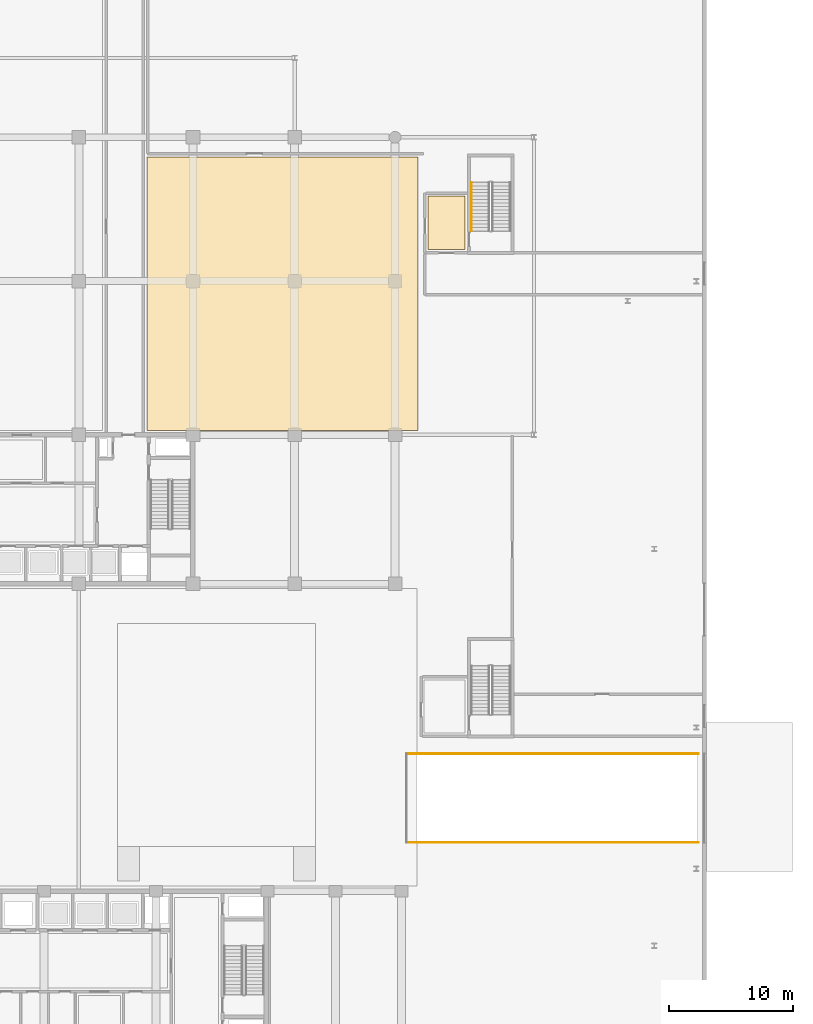
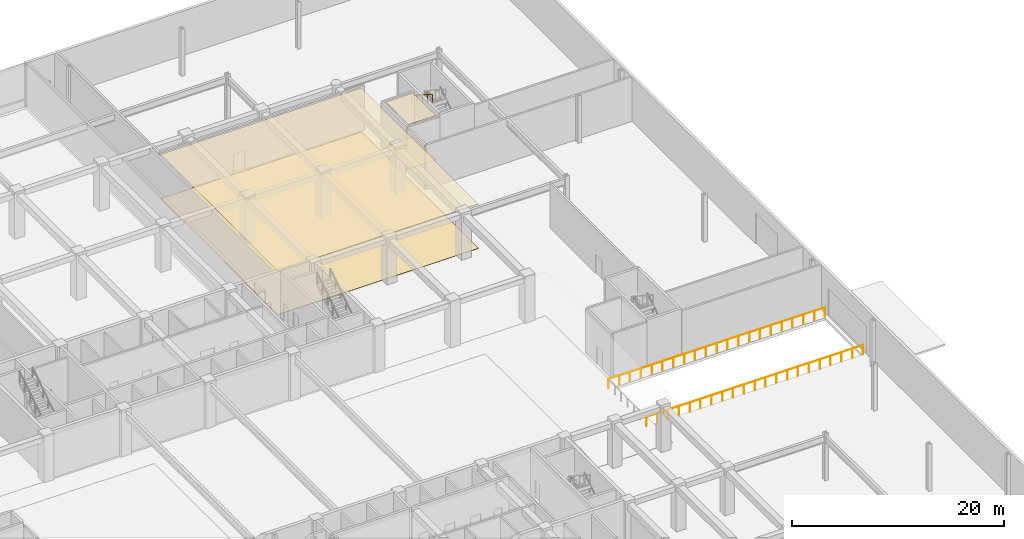
# One storey, part 44 of 46: 4 coverings, 3 railings.
"""IFC4 building model written with IfcOpenShell, lengths in metres."""

from ifc_helpers import new_model, si_unit, direction, frame, origin, origin_2d, place, context, subcontext, project, spatial, polyline, circle, outline, extrude, material, layer, layer_set, type_object, element, save


model = new_model("IFC4")

# Units and contexts
model_context = context("Model", 3, precision=1e-05, world=origin(), true_north=direction((0.0, 1.0)))
body_context = subcontext(model_context, "Body", "Model", "MODEL_VIEW")
ifc_project = project(units=[si_unit("LENGTHUNIT", "METRE"), si_unit("AREAUNIT", "SQUARE_METRE"), si_unit("VOLUMEUNIT", "CUBIC_METRE"), si_unit("PLANEANGLEUNIT", "RADIAN"), si_unit("MASSUNIT", "GRAM", prefix="KILO")], contexts=[model_context])

# Site, building, storey
site_placement = place(None, origin())
site = spatial("IfcSite", under=ifc_project, at=site_placement, CompositionType="ELEMENT")
building_placement = place(site_placement, origin())
building = spatial("IfcBuilding", under=site, at=building_placement, Name="Korimba Cascade Residences", CompositionType="ELEMENT")
storey_placement = place(building_placement, origin())
storey = spatial("IfcBuildingStorey", under=building, at=storey_placement, Name="L00", CompositionType="ELEMENT", Elevation=0.0)

# Coverings
ifc_material_1 = material(Name="Perforated Acoustic Gypsum Ceiling", Category="gypsum")
ifc_layer_1 = layer(ifc_material_1, 0.02490234375)
ifc_layer_set_1 = layer_set([ifc_layer_1], Name="Perforated Acoustic Gypsum Ceiling")
covering_type_1 = type_object("IfcCoveringType", Name="COV-CLG-AC", PredefinedType="CEILING", material=ifc_layer_set_1)
covering_1_placement = place(storey_placement, frame((0.0, 0.0, 5.074951171875)))
element("IfcCovering", 1, at=covering_1_placement, inside=storey, type_object=covering_type_1, Name="L00 Suspended Acoustic Ceiling L00-PL4", PredefinedType="CEILING", context=body_context, shape_type="SweptSolid", body=[
    extrude(outline(polyline([(131.050048828125, 82.14990234375), (134.050048828125, 82.14990234375), (134.050048828125, 86.449951171875), (131.050048828125, 86.449951171875), (131.050048828125, 82.14990234375)])), origin(), (0.0, 0.0, 1.0), 0.025146484375),
])
covering_2_placement = place(storey_placement, frame((0.0, 0.0, 5.074951171875)))
element("IfcCovering", 2, at=covering_2_placement, inside=storey, type_object=covering_type_1, Name="L00 Suspended Acoustic Ceiling L00-LB3", PredefinedType="CEILING", context=body_context, shape_type="SweptSolid", body=[
    extrude(outline(polyline([(108.39990234375, 67.550048828125), (130.25, 67.550048828125), (130.25, 89.60009765625), (108.39990234375, 89.60009765625), (108.39990234375, 67.550048828125)])), origin(), (0.0, 0.0, 1.0), 0.025146484375),
])
ifc_material_2 = material(Name="Honed Travertine Stone Flooring", Category="masonry")
ifc_layer_2 = layer(ifc_material_2, 0.02490234375)
ifc_layer_set_2 = layer_set([ifc_layer_2], Name="Honed Travertine Stone Flooring")
covering_type_2 = type_object("IfcCoveringType", Name="COV-FLR-STN", PredefinedType="FLOORING", material=ifc_layer_set_2)
covering_3_placement = place(storey_placement, origin())
element("IfcCovering", 3, at=covering_3_placement, inside=storey, type_object=covering_type_2, Name="L00 Honed Travertine Stone Flooring L00-PL4", PredefinedType="FLOORING", context=body_context, shape_type="SweptSolid", body=[
    extrude(outline(polyline([(131.050048828125, 82.14990234375), (134.050048828125, 82.14990234375), (134.050048828125, 86.449951171875), (131.050048828125, 86.449951171875), (131.050048828125, 82.14990234375)])), origin(), (0.0, 0.0, 1.0), 0.02490234375),
])
covering_4_placement = place(storey_placement, origin())
element("IfcCovering", 4, at=covering_4_placement, inside=storey, type_object=covering_type_2, Name="L00 Honed Travertine Stone Flooring L00-LB3", PredefinedType="FLOORING", context=body_context, shape_type="SweptSolid", body=[
    extrude(outline(polyline([(108.39990234375, 67.550048828125), (130.25, 67.550048828125), (130.25, 89.60009765625), (108.39990234375, 89.60009765625), (108.39990234375, 67.550048828125)])), origin(), (0.0, 0.0, 1.0), 0.02490234375),
])

# Railings
ifc_material_3 = material(Name="Brushed Stainless Steel Handrail", Category="steel")
railing_type_1 = type_object("IfcRailingType", Name="RLG-ST-HR900", PredefinedType="HANDRAIL", material=ifc_material_3)
railing_1_placement = place(storey_placement, frame((134.550048828125, 87.570068359375, 3.063720703125)))
element("IfcRailing", 5, at=railing_1_placement, inside=storey, type_object=railing_type_1, Name="L00 ST-P4 stair handrail 2", PredefinedType="HANDRAIL", context=body_context, shape_type="SweptSolid", body=[
    extrude(circle(Radius=0.02392578125, at=origin_2d()), frame((0.0, 0.0, 0.8759765625), z_axis=(0.0, -0.841186985886, 0.540744352514), x_axis=(1.0, 0.0, 0.0)), (0.0, 0.0, 1.0), 4.660400390625),
    extrude(circle(Radius=0.02099609375, at=origin_2d()), origin(), (0.0, 0.0, 1.0), 0.851806640625),
    extrude(circle(Radius=0.02099609375, at=origin_2d()), frame((0.0, -0.97998046875, 0.6298828125)), (0.0, 0.0, 1.0), 0.851806640625),
    extrude(circle(Radius=0.02099609375, at=origin_2d()), frame((0.0, -1.9599609375, 1.260009765625)), (0.0, 0.0, 1.0), 0.851806640625),
    extrude(circle(Radius=0.02099609375, at=origin_2d()), frame((0.0, -2.940185546875, 1.89013671875)), (0.0, 0.0, 1.0), 0.851806640625),
    extrude(circle(Radius=0.02099609375, at=origin_2d()), frame((0.0, -3.920166015625, 2.52001953125)), (0.0, 0.0, 1.0), 0.851806640625),
])
ifc_material_4 = material(Name="Painted Galvanised Steel Terrace Guardrail", Category="steel")
railing_type_2 = type_object("IfcRailingType", Name="RLG-TER-1150", PredefinedType="GUARDRAIL", material=ifc_material_4)
railing_2_placement = place(storey_placement, frame((129.320068359375, 34.320068359375, 0.0)))
element("IfcRailing", 6, at=railing_2_placement, inside=storey, type_object=railing_type_2, Name="L00 Ramp Well S Guardrail", PredefinedType="GUARDRAIL", context=body_context, shape_type="SweptSolid", body=[
    extrude(circle(Radius=0.02392578125, at=origin_2d()), frame((0.0, 0.0, 1.1259765625), z_axis=(1.0, 0.0, 0.0), x_axis=(0.0, 1.0, 0.0)), (0.0, 0.0, 1.0), 23.559814453125),
    extrude(circle(Radius=0.02099609375, at=origin_2d()), origin(), (0.0, 0.0, 1.0), 1.101806640625),
    extrude(circle(Radius=0.02099609375, at=origin_2d()), frame((1.177978515625, 0.0, 0.0)), (0.0, 0.0, 1.0), 1.101806640625),
    extrude(circle(Radius=0.02099609375, at=origin_2d()), frame((2.35595703125, 0.0, 0.0)), (0.0, 0.0, 1.0), 1.101806640625),
    extrude(circle(Radius=0.02099609375, at=origin_2d()), frame((3.533935546875, 0.0, 0.0)), (0.0, 0.0, 1.0), 1.101806640625),
    extrude(circle(Radius=0.02099609375, at=origin_2d()), frame((4.7119140625, 0.0, 0.0)), (0.0, 0.0, 1.0), 1.101806640625),
    extrude(circle(Radius=0.02099609375, at=origin_2d()), frame((5.889892578125, 0.0, 0.0)), (0.0, 0.0, 1.0), 1.101806640625),
    extrude(circle(Radius=0.02099609375, at=origin_2d()), frame((7.06787109375, 0.0, 0.0)), (0.0, 0.0, 1.0), 1.101806640625),
    extrude(circle(Radius=0.02099609375, at=origin_2d()), frame((8.245849609375, 0.0, 0.0)), (0.0, 0.0, 1.0), 1.101806640625),
    extrude(circle(Radius=0.02099609375, at=origin_2d()), frame((9.423828125, 0.0, 0.0)), (0.0, 0.0, 1.0), 1.101806640625),
    extrude(circle(Radius=0.02099609375, at=origin_2d()), frame((10.601806640625, 0.0, 0.0)), (0.0, 0.0, 1.0), 1.101806640625),
    extrude(circle(Radius=0.02099609375, at=origin_2d()), frame((11.77978515625, 0.0, 0.0)), (0.0, 0.0, 1.0), 1.101806640625),
    extrude(circle(Radius=0.02099609375, at=origin_2d()), frame((12.9580078125, 0.0, 0.0)), (0.0, 0.0, 1.0), 1.101806640625),
    extrude(circle(Radius=0.02099609375, at=origin_2d()), frame((14.135986328125, 0.0, 0.0)), (0.0, 0.0, 1.0), 1.101806640625),
    extrude(circle(Radius=0.02099609375, at=origin_2d()), frame((15.31396484375, 0.0, 0.0)), (0.0, 0.0, 1.0), 1.101806640625),
    extrude(circle(Radius=0.02099609375, at=origin_2d()), frame((16.491943359375, 0.0, 0.0)), (0.0, 0.0, 1.0), 1.101806640625),
    extrude(circle(Radius=0.02099609375, at=origin_2d()), frame((17.669921875, 0.0, 0.0)), (0.0, 0.0, 1.0), 1.101806640625),
    extrude(circle(Radius=0.02099609375, at=origin_2d()), frame((18.847900390625, 0.0, 0.0)), (0.0, 0.0, 1.0), 1.101806640625),
    extrude(circle(Radius=0.02099609375, at=origin_2d()), frame((20.02587890625, 0.0, 0.0)), (0.0, 0.0, 1.0), 1.101806640625),
    extrude(circle(Radius=0.02099609375, at=origin_2d()), frame((21.203857421875, 0.0, 0.0)), (0.0, 0.0, 1.0), 1.101806640625),
    extrude(circle(Radius=0.02099609375, at=origin_2d()), frame((22.3818359375, 0.0, 0.0)), (0.0, 0.0, 1.0), 1.101806640625),
    extrude(circle(Radius=0.02099609375, at=origin_2d()), frame((23.559814453125, 0.0, 0.0)), (0.0, 0.0, 1.0), 1.101806640625),
])
railing_3_placement = place(storey_placement, frame((129.320068359375, 41.47998046875, 0.0)))
element("IfcRailing", 7, at=railing_3_placement, inside=storey, type_object=railing_type_2, Name="L00 Ramp Well N Guardrail", PredefinedType="GUARDRAIL", context=body_context, shape_type="SweptSolid", body=[
    extrude(circle(Radius=0.02392578125, at=origin_2d()), frame((0.0, 0.0, 1.1259765625), z_axis=(1.0, 0.0, 0.0), x_axis=(0.0, 1.0, 0.0)), (0.0, 0.0, 1.0), 23.559814453125),
    extrude(circle(Radius=0.02099609375, at=origin_2d()), origin(), (0.0, 0.0, 1.0), 1.101806640625),
    extrude(circle(Radius=0.02099609375, at=origin_2d()), frame((1.177978515625, 0.0, 0.0)), (0.0, 0.0, 1.0), 1.101806640625),
    extrude(circle(Radius=0.02099609375, at=origin_2d()), frame((2.35595703125, 0.0, 0.0)), (0.0, 0.0, 1.0), 1.101806640625),
    extrude(circle(Radius=0.02099609375, at=origin_2d()), frame((3.533935546875, 0.0, 0.0)), (0.0, 0.0, 1.0), 1.101806640625),
    extrude(circle(Radius=0.02099609375, at=origin_2d()), frame((4.7119140625, 0.0, 0.0)), (0.0, 0.0, 1.0), 1.101806640625),
    extrude(circle(Radius=0.02099609375, at=origin_2d()), frame((5.889892578125, 0.0, 0.0)), (0.0, 0.0, 1.0), 1.101806640625),
    extrude(circle(Radius=0.02099609375, at=origin_2d()), frame((7.06787109375, 0.0, 0.0)), (0.0, 0.0, 1.0), 1.101806640625),
    extrude(circle(Radius=0.02099609375, at=origin_2d()), frame((8.245849609375, 0.0, 0.0)), (0.0, 0.0, 1.0), 1.101806640625),
    extrude(circle(Radius=0.02099609375, at=origin_2d()), frame((9.423828125, 0.0, 0.0)), (0.0, 0.0, 1.0), 1.101806640625),
    extrude(circle(Radius=0.02099609375, at=origin_2d()), frame((10.601806640625, 0.0, 0.0)), (0.0, 0.0, 1.0), 1.101806640625),
    extrude(circle(Radius=0.02099609375, at=origin_2d()), frame((11.77978515625, 0.0, 0.0)), (0.0, 0.0, 1.0), 1.101806640625),
    extrude(circle(Radius=0.02099609375, at=origin_2d()), frame((12.9580078125, 0.0, 0.0)), (0.0, 0.0, 1.0), 1.101806640625),
    extrude(circle(Radius=0.02099609375, at=origin_2d()), frame((14.135986328125, 0.0, 0.0)), (0.0, 0.0, 1.0), 1.101806640625),
    extrude(circle(Radius=0.02099609375, at=origin_2d()), frame((15.31396484375, 0.0, 0.0)), (0.0, 0.0, 1.0), 1.101806640625),
    extrude(circle(Radius=0.02099609375, at=origin_2d()), frame((16.491943359375, 0.0, 0.0)), (0.0, 0.0, 1.0), 1.101806640625),
    extrude(circle(Radius=0.02099609375, at=origin_2d()), frame((17.669921875, 0.0, 0.0)), (0.0, 0.0, 1.0), 1.101806640625),
    extrude(circle(Radius=0.02099609375, at=origin_2d()), frame((18.847900390625, 0.0, 0.0)), (0.0, 0.0, 1.0), 1.101806640625),
    extrude(circle(Radius=0.02099609375, at=origin_2d()), frame((20.02587890625, 0.0, 0.0)), (0.0, 0.0, 1.0), 1.101806640625),
    extrude(circle(Radius=0.02099609375, at=origin_2d()), frame((21.203857421875, 0.0, 0.0)), (0.0, 0.0, 1.0), 1.101806640625),
    extrude(circle(Radius=0.02099609375, at=origin_2d()), frame((22.3818359375, 0.0, 0.0)), (0.0, 0.0, 1.0), 1.101806640625),
    extrude(circle(Radius=0.02099609375, at=origin_2d()), frame((23.559814453125, 0.0, 0.0)), (0.0, 0.0, 1.0), 1.101806640625),
])

save(model, "model.ifc")
